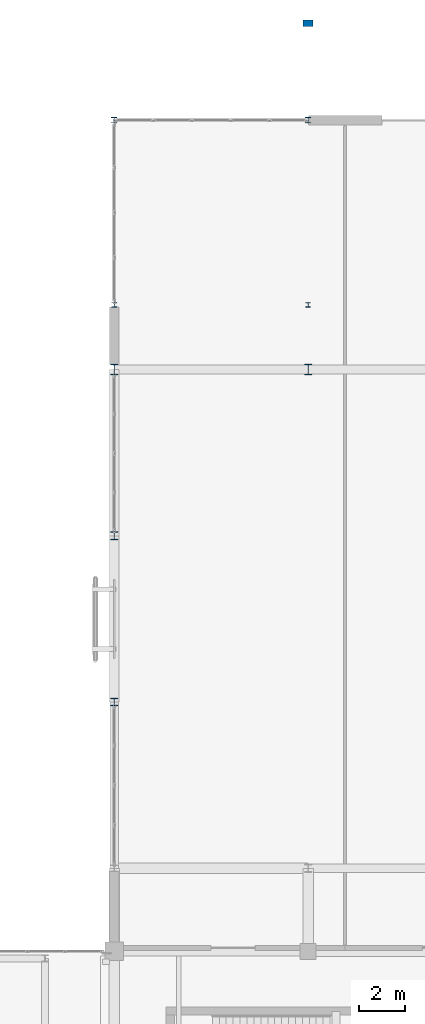
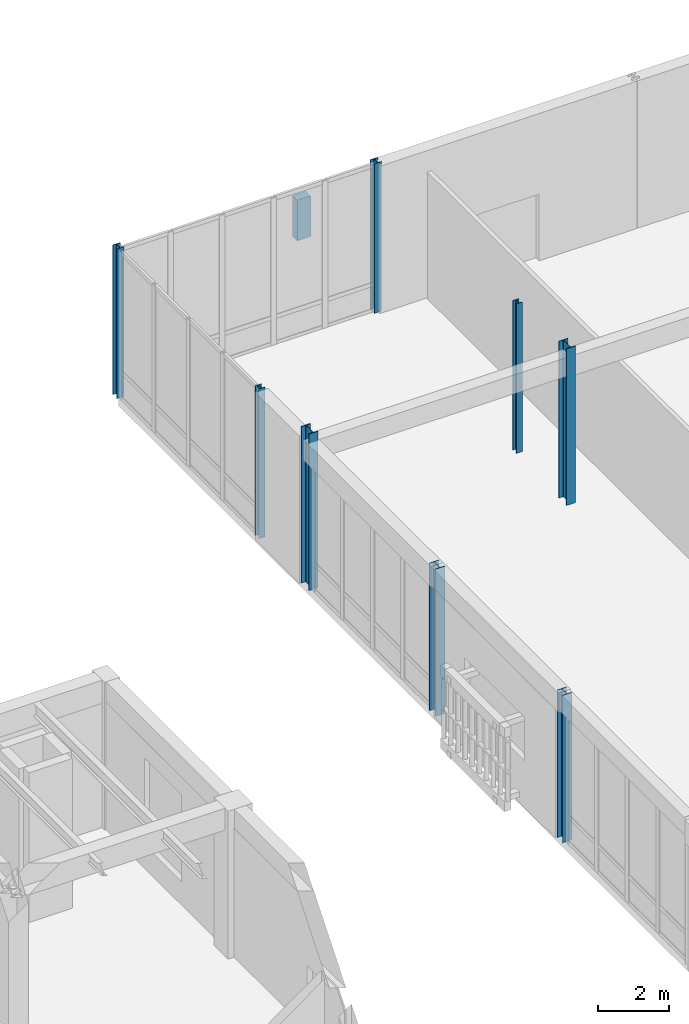
# One storey, part 10 of 169: 9 columns.
"""IFC4 building model written with IfcOpenShell, lengths in metres."""

from ifc_helpers import new_model, si_unit, direction, frame, origin, origin_2d, place, context, subcontext, project, spatial, rectangle, i_section, extrude, material, material_profile, profile_set, type_object, element, save


model = new_model("IFC4")

# Units and contexts
model_context = context("Model", 3, precision=1e-05, world=origin(), true_north=direction((0.0, 1.0)))
body_context = subcontext(model_context, "Body", "Model", "MODEL_VIEW")
ifc_project = project(units=[si_unit("LENGTHUNIT", "METRE"), si_unit("AREAUNIT", "SQUARE_METRE"), si_unit("VOLUMEUNIT", "CUBIC_METRE"), si_unit("PLANEANGLEUNIT", "RADIAN"), si_unit("MASSUNIT", "GRAM", prefix="KILO")], contexts=[model_context])

# Site, building, storey
site_placement = place(None, origin())
site = spatial("IfcSite", under=ifc_project, at=site_placement, CompositionType="ELEMENT")
building_placement = place(site_placement, origin())
building = spatial("IfcBuilding", under=site, at=building_placement, Name="Mazaris Harbour Polytechnic", CompositionType="ELEMENT")
storey_placement = place(building_placement, origin())
storey = spatial("IfcBuildingStorey", under=building, at=storey_placement, Name="L00", CompositionType="ELEMENT", Elevation=0.0)

# Columns
ifc_material_1 = material(Name="Concrete C35/45", Category="concrete")
ifc_material_profile_1 = material_profile(ifc_material_1, rectangle(XDim=0.43994140625, YDim=0.280029296875, at=origin_2d()), Name="RECT440x280")
ifc_profile_set_1 = profile_set([ifc_material_profile_1], Name="Concrete C35/45")
column_type_1 = type_object("IfcColumnType", Name="Limestone Pilaster 440x280", PredefinedType="PILASTER", material=ifc_profile_set_1)
column_1_placement = place(storey_placement, frame((62.39990234375, 123.0, 0.0), z_axis=(0.0, 0.0, 1.0), x_axis=(1.0, 0.0, 0.0)))
element("IfcColumn", 1, at=column_1_placement, inside=storey, type_object=column_type_1, Name="North Service Yard Boundary Pier 1", PredefinedType="PILASTER", context=body_context, shape_type="SweptSolid", body=[
    extrude(rectangle(XDim=0.43994140625, YDim=0.280029296875, at=origin_2d()), origin(), (0.0, 0.0, 1.0), 1.39990234375),
])
ifc_material_2 = material(Name="Steel S355", Category="steel")
ifc_material_profile_2 = material_profile(ifc_material_2, i_section(OverallWidth=0.199951171875, OverallDepth=0.199951171875, WebThickness=0.009033203125, FlangeThickness=0.014892578125, FilletRadius=0.01806640625, at=origin_2d()), Name="HEB 200")
ifc_profile_set_2 = profile_set([ifc_material_profile_2], Name="Steel S355")
column_type_2 = type_object("IfcColumnType", Name="Steel Column HEB200", PredefinedType="COLUMN", material=ifc_profile_set_2)
column_2_placement = place(storey_placement, frame((62.39990234375, 110.800048828125, 0.0), z_axis=(0.0, 0.0, 1.0), x_axis=(1.0, 0.0, 0.0)))
element("IfcColumn", 2, at=column_2_placement, inside=storey, type_object=column_type_2, Name="V1 L00 Column 77", PredefinedType="COLUMN", context=body_context, shape_type="SweptSolid", body=[
    extrude(i_section(OverallWidth=0.199951171875, OverallDepth=0.199951171875, WebThickness=0.009033203125, FlangeThickness=0.014892578125, FilletRadius=0.01806640625, at=origin_2d()), origin(), (0.0, 0.0, 1.0), 5.159912109375),
])
ifc_material_3 = material(Name="Steel S355", Category="steel")
ifc_material_profile_3 = material_profile(ifc_material_3, i_section(OverallWidth=0.199951171875, OverallDepth=0.199951171875, WebThickness=0.009033203125, FlangeThickness=0.014892578125, FilletRadius=0.01806640625, at=origin_2d()), Name="HEB 200")
ifc_profile_set_3 = profile_set([ifc_material_profile_3], Name="Steel S355")
column_type_3 = type_object("IfcColumnType", Name="Steel Column HEB200 Exterior", PredefinedType="COLUMN", material=ifc_profile_set_3)
column_3_placement = place(storey_placement, frame((54.0, 110.800048828125, 0.0), z_axis=(0.0, 0.0, 1.0), x_axis=(1.0, 0.0, 0.0)))
element("IfcColumn", 3, at=column_3_placement, inside=storey, type_object=column_type_3, Name="V1 L00 Column 71", PredefinedType="COLUMN", context=body_context, shape_type="SweptSolid", body=[
    extrude(i_section(OverallWidth=0.199951171875, OverallDepth=0.199951171875, WebThickness=0.009033203125, FlangeThickness=0.014892578125, FilletRadius=0.01806640625, at=origin_2d()), origin(), (0.0, 0.0, 1.0), 5.159912109375),
])
ifc_material_4 = material(Name="Steel S355", Category="steel")
ifc_material_profile_4 = material_profile(ifc_material_4, i_section(OverallWidth=0.239990234375, OverallDepth=0.239990234375, WebThickness=0.010009765625, FlangeThickness=0.01708984375, FilletRadius=0.02099609375, at=origin_2d()), Name="HEB 240")
ifc_profile_set_4 = profile_set([ifc_material_profile_4], Name="Steel S355")
column_type_4 = type_object("IfcColumnType", Name="Steel Column HEB240", PredefinedType="COLUMN", material=ifc_profile_set_4)
for number, where, z_axis, x_axis, name in (
    (4, (54.0, 118.800048828125, 0.0), (0.0, 0.0, 1.0), (1.0, 0.0, 0.0), "V1 L00 Column 72"),
    (5, (62.39990234375, 118.800048828125, 0.0), (0.0, 0.0, 1.0), (1.0, 0.0, 0.0), "V1 L00 Column 78"),
):
    element("IfcColumn", number, at=place(storey_placement, frame(where, z_axis=z_axis, x_axis=x_axis)), inside=storey, type_object=column_type_4, Name=name, PredefinedType="COLUMN", context=body_context, shape_type="SweptSolid", body=[
        extrude(i_section(OverallWidth=0.239990234375, OverallDepth=0.239990234375, WebThickness=0.010009765625, FlangeThickness=0.01708984375, FilletRadius=0.02099609375, at=origin_2d()), origin(), (0.0, 0.0, 1.0), 5.159912109375),
    ])
ifc_material_5 = material(Name="Steel S355", Category="steel")
ifc_material_profile_5 = material_profile(ifc_material_5, i_section(OverallWidth=0.300048828125, OverallDepth=0.320068359375, WebThickness=0.011474609375, FlangeThickness=0.0205078125, FilletRadius=0.027099609375, at=origin_2d()), Name="HEB 320")
ifc_profile_set_5 = profile_set([ifc_material_profile_5], Name="Steel S355")
column_type_5 = type_object("IfcColumnType", Name="Steel Column HEB320", PredefinedType="COLUMN", material=ifc_profile_set_5)
column_4_placement = place(storey_placement, frame((54.0, 93.60009765625, 0.0), z_axis=(0.0, 0.0, 1.0), x_axis=(1.0, 0.0, 0.0)))
element("IfcColumn", 6, at=column_4_placement, inside=storey, type_object=column_type_5, Name="V1 L00 Column 68", PredefinedType="COLUMN", context=body_context, shape_type="SweptSolid", body=[
    extrude(i_section(OverallWidth=0.300048828125, OverallDepth=0.320068359375, WebThickness=0.011474609375, FlangeThickness=0.0205078125, FilletRadius=0.027099609375, at=origin_2d()), origin(), (0.0, 0.0, 1.0), 5.080078125),
])
ifc_material_6 = material(Name="Steel S355", Category="steel")
ifc_material_profile_6 = material_profile(ifc_material_6, i_section(OverallWidth=0.300048828125, OverallDepth=0.360107421875, WebThickness=0.012451171875, FlangeThickness=0.0224609375, FilletRadius=0.027099609375, at=origin_2d()), Name="HEB 360")
ifc_profile_set_6 = profile_set([ifc_material_profile_6], Name="Steel S355")
column_type_6 = type_object("IfcColumnType", Name="Steel Column HEB360 Exterior", PredefinedType="COLUMN", material=ifc_profile_set_6)
column_5_placement = place(storey_placement, frame((54.0, 100.800048828125, 0.0), z_axis=(0.0, 0.0, 1.0), x_axis=(1.0, 0.0, 0.0)))
element("IfcColumn", 7, at=column_5_placement, inside=storey, type_object=column_type_6, Name="V1 L00 Column 69", PredefinedType="COLUMN", context=body_context, shape_type="SweptSolid", body=[
    extrude(i_section(OverallWidth=0.300048828125, OverallDepth=0.360107421875, WebThickness=0.012451171875, FlangeThickness=0.0224609375, FilletRadius=0.027099609375, at=origin_2d()), origin(), (0.0, 0.0, 1.0), 5.080078125),
])
ifc_material_7 = material(Name="Steel S355", Category="steel")
ifc_material_profile_7 = material_profile(ifc_material_7, i_section(OverallWidth=0.300048828125, OverallDepth=0.449951171875, WebThickness=0.013916015625, FlangeThickness=0.02587890625, FilletRadius=0.027099609375, at=origin_2d()), Name="HEB 450")
ifc_profile_set_7 = profile_set([ifc_material_profile_7], Name="Steel S355")
column_type_7 = type_object("IfcColumnType", Name="Steel Column HEB450", PredefinedType="COLUMN", material=ifc_profile_set_7)
column_6_placement = place(storey_placement, frame((62.39990234375, 108.0, 0.0), z_axis=(0.0, 0.0, 1.0), x_axis=(1.0, 0.0, 0.0)))
element("IfcColumn", 8, at=column_6_placement, inside=storey, type_object=column_type_7, Name="V1 L00 Column 76", PredefinedType="COLUMN", context=body_context, shape_type="SweptSolid", body=[
    extrude(i_section(OverallWidth=0.300048828125, OverallDepth=0.449951171875, WebThickness=0.013916015625, FlangeThickness=0.02587890625, FilletRadius=0.027099609375, at=origin_2d()), origin(), (0.0, 0.0, 1.0), 5.39990234375),
])
ifc_material_8 = material(Name="Steel S355", Category="steel")
ifc_material_profile_8 = material_profile(ifc_material_8, i_section(OverallWidth=0.300048828125, OverallDepth=0.449951171875, WebThickness=0.013916015625, FlangeThickness=0.02587890625, FilletRadius=0.027099609375, at=origin_2d()), Name="HEB 450")
ifc_profile_set_8 = profile_set([ifc_material_profile_8], Name="Steel S355")
column_type_8 = type_object("IfcColumnType", Name="Steel Column HEB450 Exterior", PredefinedType="COLUMN", material=ifc_profile_set_8)
column_7_placement = place(storey_placement, frame((54.0, 108.0, 0.0), z_axis=(0.0, 0.0, 1.0), x_axis=(1.0, 0.0, 0.0)))
element("IfcColumn", 9, at=column_7_placement, inside=storey, type_object=column_type_8, Name="V1 L00 Column 70", PredefinedType="COLUMN", context=body_context, shape_type="SweptSolid", body=[
    extrude(i_section(OverallWidth=0.300048828125, OverallDepth=0.449951171875, WebThickness=0.013916015625, FlangeThickness=0.02587890625, FilletRadius=0.027099609375, at=origin_2d()), origin(), (0.0, 0.0, 1.0), 5.39990234375),
])

save(model, "model.ifc")
